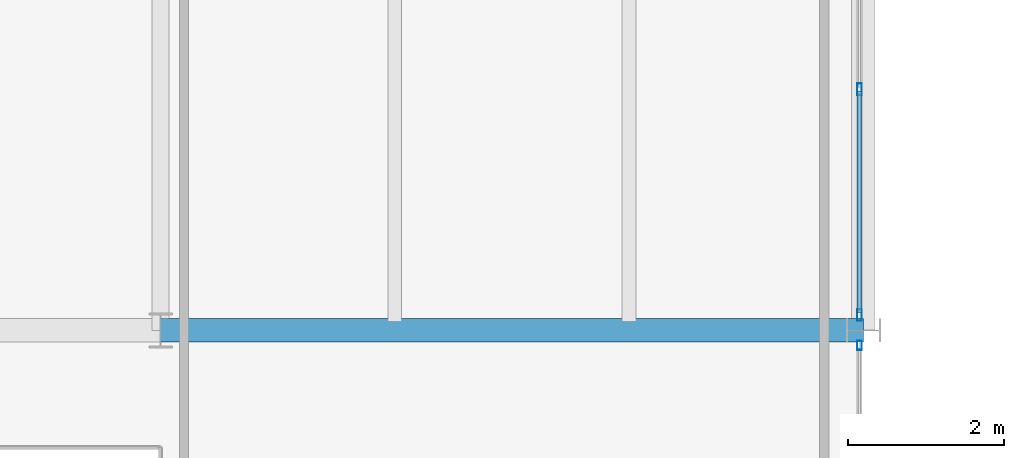
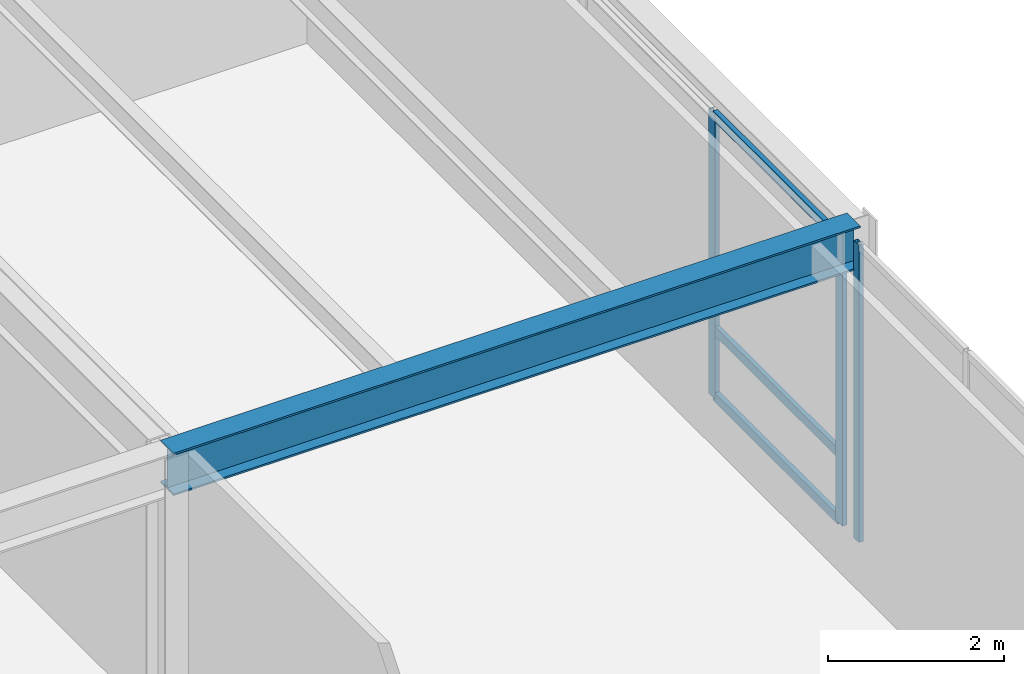
# One storey, part 70 of 115: 6 members, 1 beam, 2 elements without a shape of their own.
"""IFC4 building model written with IfcOpenShell, lengths in metres."""

from ifc_helpers import new_model, si_unit, direction, frame, origin, origin_2d, place, context, subcontext, project, spatial, hollow_rectangle, i_section, extrude, material, layer, layer_set, material_profile, profile_set, type_object, element, aggregate, save


model = new_model("IFC4")

# Units and contexts
model_context = context("Model", 3, precision=1e-05, world=origin(), true_north=direction((0.0, 1.0)))
body_context = subcontext(model_context, "Body", "Model", "MODEL_VIEW")
ifc_project = project(units=[si_unit("LENGTHUNIT", "METRE"), si_unit("AREAUNIT", "SQUARE_METRE"), si_unit("VOLUMEUNIT", "CUBIC_METRE"), si_unit("PLANEANGLEUNIT", "RADIAN"), si_unit("MASSUNIT", "GRAM", prefix="KILO")], contexts=[model_context])

# Site, building, storey
site_placement = place(None, origin())
site = spatial("IfcSite", under=ifc_project, at=site_placement, CompositionType="ELEMENT")
building_placement = place(site_placement, origin())
building = spatial("IfcBuilding", under=site, at=building_placement, Name="Montelvaro Courts of Justice", CompositionType="ELEMENT")
storey_placement = place(building_placement, frame((0.0, 0.0, 9.89990234375)))
storey = spatial("IfcBuildingStorey", under=building, at=storey_placement, Name="L02", CompositionType="ELEMENT", Elevation=9.89990234375)

# Beam
ifc_material_1 = material(Name="Steel S355", Category="steel")
ifc_material_profile_1 = material_profile(ifc_material_1, i_section(OverallWidth=0.300048828125, OverallDepth=0.590087890625, WebThickness=0.012939453125, FlangeThickness=0.02490234375, at=origin_2d()), Name="HEA 600")
ifc_profile_set_1 = profile_set([ifc_material_profile_1], Name="Steel S355")
beam_type = type_object("IfcBeamType", Name="Beam_HEA600", PredefinedType="USERDEFINED", material=ifc_profile_set_1)
beam_placement = place(storey_placement, frame((72.0, 96.0, 4.005126953125), z_axis=(1.0, 0.0, 0.0), x_axis=(0.0, 1.0, 0.0)))
element("IfcBeam", 1, at=beam_placement, inside=storey, type_object=beam_type, Name="Beam B-21 L02", ObjectType="GIRDER", PredefinedType="USERDEFINED", context=body_context, shape_type="SweptSolid", body=[
    extrude(i_section(OverallWidth=0.300048828125, OverallDepth=0.590087890625, WebThickness=0.012939453125, FlangeThickness=0.02490234375, at=origin_2d()), origin(), (0.0, 0.0, 1.0), 9.0),
])

# Curtain wall, member
ifc_material_2 = material(Name="Anodised aluminium EN AW-6063", Category="aluminium")
ifc_layer_1 = layer(ifc_material_2, 0.159912109375)
ifc_layer_set_1 = layer_set([ifc_layer_1], Name="Anodised aluminium EN AW-6063")
curtain_wall_type_1 = type_object("IfcCurtainWallType", Name="CurtainWall_22_1761x418", PredefinedType="USERDEFINED", material=ifc_layer_set_1)
curtain_wall_1_placement = place(storey_placement, origin())
curtain_wall_1 = element("IfcCurtainWall", 2, at=curtain_wall_1_placement, inside=storey, type_object=curtain_wall_type_1, Name="Curtain Wall CW-22 (L02)", ObjectType="CURTAIN WALL", PredefinedType="USERDEFINED")
ifc_material_profile_2 = material_profile(ifc_material_2, hollow_rectangle(XDim=0.06005859375, YDim=0.1201171875, WallThickness=0.00341796875, at=origin_2d()), Name="ALU-M 60x120")
ifc_profile_set_2 = profile_set([ifc_material_profile_2], Name="Anodised aluminium EN AW-6063")
member_type_1 = type_object("IfcMemberType", Name="CurtainWall_Mullion_60x120", PredefinedType="MULLION", material=ifc_profile_set_2)
member_1_placement = place(storey_placement, frame((80.949951171875, 95.804931640625, 0.0), z_axis=(0.0, 0.0, 1.0), x_axis=(-1.0, 0.0, 0.0)))
member_1 = element("IfcMember", 3, at=member_1_placement, type_object=member_type_1, Name="CW-22 mullion 8", PredefinedType="MULLION", context=body_context, shape_type="SweptSolid", body=[
    extrude(hollow_rectangle(XDim=0.06005859375, YDim=0.1201171875, WallThickness=0.00341796875, at=origin_2d()), origin(), (0.0, 0.0, 1.0), 4.1201171875),
])
aggregate(curtain_wall_1, [member_1])

# Curtain wall, members
ifc_layer_2 = layer(ifc_material_2, 0.159912109375)
ifc_layer_set_2 = layer_set([ifc_layer_2], Name="Anodised aluminium EN AW-6063")
curtain_wall_type_2 = type_object("IfcCurtainWallType", Name="CurtainWall_24_1169x418", PredefinedType="USERDEFINED", material=ifc_layer_set_2)
curtain_wall_2_placement = place(storey_placement, origin())
curtain_wall_2 = element("IfcCurtainWall", 4, at=curtain_wall_2_placement, inside=storey, type_object=curtain_wall_type_2, Name="Curtain Wall CW-24 (L02)", ObjectType="CURTAIN WALL", PredefinedType="USERDEFINED")
ifc_material_profile_3 = material_profile(ifc_material_2, hollow_rectangle(XDim=0.06005859375, YDim=0.14990234375, WallThickness=0.00390625, at=origin_2d()), Name="ALU-M 60x150")
ifc_profile_set_3 = profile_set([ifc_material_profile_3], Name="Anodised aluminium EN AW-6063")
member_type_2 = type_object("IfcMemberType", Name="CurtainWall_Mullion_60x150", PredefinedType="MULLION", material=ifc_profile_set_3)
member_2_placement = place(storey_placement, frame((80.949951171875, 96.195068359375, 0.0), z_axis=(0.0, 0.0, 1.0), x_axis=(-1.0, 0.0, 0.0)))
member_2 = element("IfcMember", 5, at=member_2_placement, type_object=member_type_2, Name="CW-24 mullion 1", PredefinedType="MULLION", context=body_context, shape_type="SweptSolid", body=[
    extrude(hollow_rectangle(XDim=0.06005859375, YDim=0.14990234375, WallThickness=0.00390625, at=origin_2d()), origin(), (0.0, 0.0, 1.0), 3.945068359375),
])
member_3_placement = place(storey_placement, frame((80.949951171875, 99.08740234375, 0.0), z_axis=(0.0, 0.0, 1.0), x_axis=(-1.0, 0.0, 0.0)))
member_3 = element("IfcMember", 6, at=member_3_placement, type_object=member_type_2, Name="CW-24 mullion 2", PredefinedType="MULLION", context=body_context, shape_type="SweptSolid", body=[
    extrude(hollow_rectangle(XDim=0.06005859375, YDim=0.14990234375, WallThickness=0.00390625, at=origin_2d()), origin(), (0.0, 0.0, 1.0), 3.945068359375),
])
ifc_material_profile_4 = material_profile(ifc_material_2, hollow_rectangle(XDim=0.06005859375, YDim=0.1298828125, WallThickness=0.00390625, at=origin_2d()), Name="ALU-T 60x130")
ifc_profile_set_4 = profile_set([ifc_material_profile_4], Name="Anodised aluminium EN AW-6063")
member_type_3 = type_object("IfcMemberType", Name="CurtainWall_Transom_60x130", PredefinedType="USERDEFINED", material=ifc_profile_set_4)
member_4_placement = place(storey_placement, frame((80.949951171875, 96.22509765625, 0.030029296875), z_axis=(0.0, 1.0, 0.0), x_axis=(-1.0, 0.0, 0.0)))
member_4 = element("IfcMember", 7, at=member_4_placement, type_object=member_type_3, Name="CW-24 transom 1.1", ObjectType="TRANSOM", PredefinedType="USERDEFINED", context=body_context, shape_type="SweptSolid", body=[
    extrude(hollow_rectangle(XDim=0.06005859375, YDim=0.1298828125, WallThickness=0.00390625, at=origin_2d()), origin(), (0.0, 0.0, 1.0), 2.83251953125),
])
member_5_placement = place(storey_placement, frame((80.949951171875, 96.22509765625, 0.9501953125), z_axis=(0.0, 1.0, 0.0), x_axis=(-1.0, 0.0, 0.0)))
member_5 = element("IfcMember", 8, at=member_5_placement, type_object=member_type_3, Name="CW-24 transom 1.2", ObjectType="TRANSOM", PredefinedType="USERDEFINED", context=body_context, shape_type="SweptSolid", body=[
    extrude(hollow_rectangle(XDim=0.06005859375, YDim=0.1298828125, WallThickness=0.00390625, at=origin_2d()), origin(), (0.0, 0.0, 1.0), 2.83251953125),
])
member_6_placement = place(storey_placement, frame((80.949951171875, 96.22509765625, 3.9150390625), z_axis=(0.0, 1.0, 0.0), x_axis=(-1.0, 0.0, 0.0)))
member_6 = element("IfcMember", 9, at=member_6_placement, type_object=member_type_3, Name="CW-24 transom 1.3", ObjectType="TRANSOM", PredefinedType="USERDEFINED", context=body_context, shape_type="SweptSolid", body=[
    extrude(hollow_rectangle(XDim=0.06005859375, YDim=0.1298828125, WallThickness=0.00390625, at=origin_2d()), origin(), (0.0, 0.0, 1.0), 2.83251953125),
])
aggregate(curtain_wall_2, [member_2, member_3, member_4, member_5, member_6])

save(model, "model.ifc")
